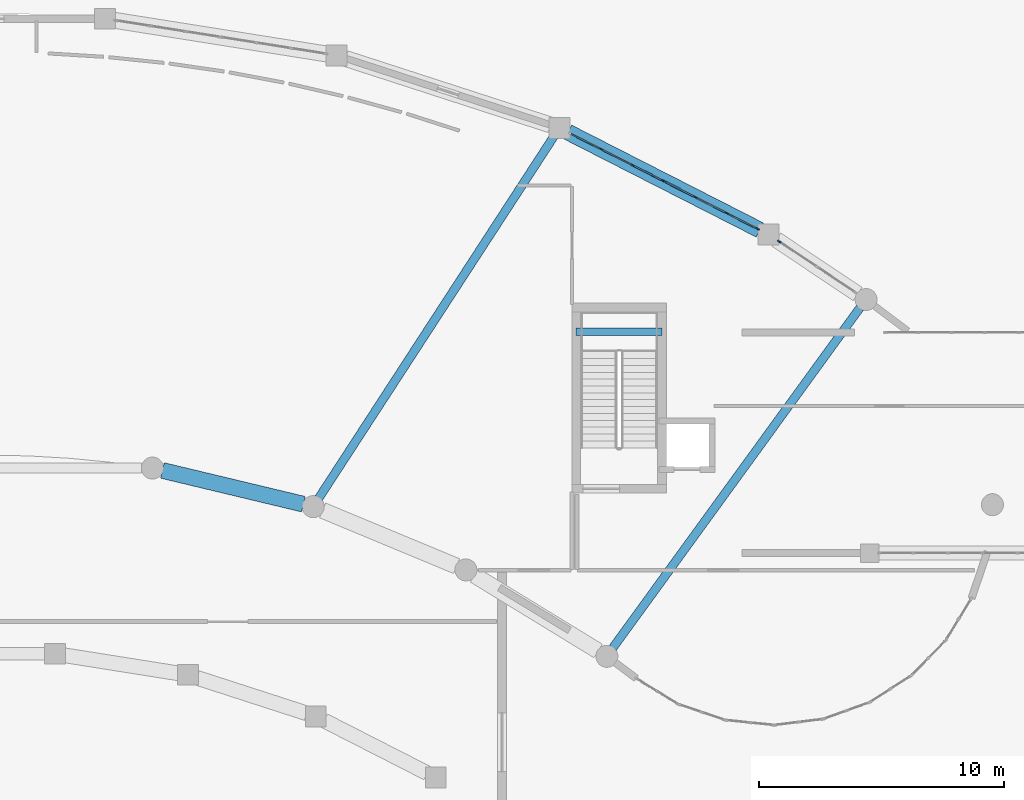
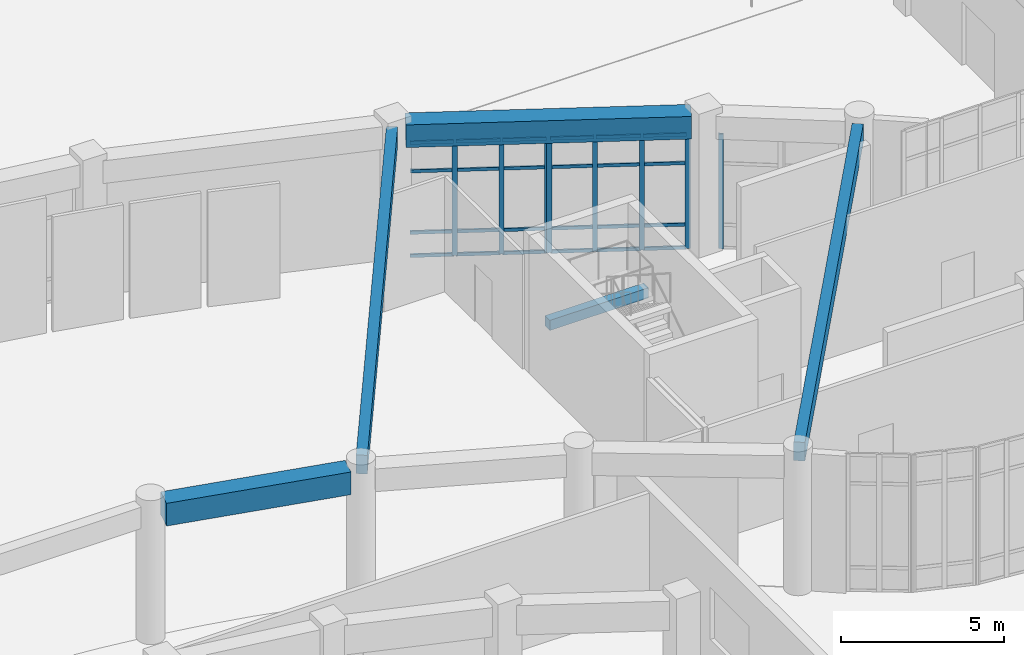
# One storey, part 18 of 70: 32 members, 5 beams, 3 elements without a shape of their own.
"""IFC4 building model written with IfcOpenShell, lengths in metres."""

import ifcopenshell
import ifcopenshell.guid

model = None  # the IFC model being written
_history = None  # IfcOwnerHistory: only IFC2X3 demands one
_inside = {}  # id of a spatial element -> (the spatial element, [elements in it])
_under = {}  # id of a project, library or spatial element -> (it, [spatial elements below it])
_declared = {}  # id of a project -> (the project, [libraries it declares])
_typed = {}  # id of a type object -> (the type object, [elements of that type])
_made_of = {}  # id of a material, layer set ... -> (it, [elements and type objects made of it])


def new_model(schema):
    """Start an empty IFC model of exactly this schema.

    Asked for "IFC4X3", IfcOpenShell would pick the latest addendum, in which some entities
    have other attributes; the version numbers below select the first issue.
    IFC2X3 requires an IfcOwnerHistory on every rooted entity: one is made here for all.
    """
    global model, _history
    if schema == "IFC4X3":
        model = ifcopenshell.file(schema_version=(4, 3, 0, 0))
    else:
        model = ifcopenshell.file(schema=schema)
    _inside.clear()
    _under.clear()
    _declared.clear()
    _typed.clear()
    _made_of.clear()
    _history = None
    if model.schema == "IFC2X3":
        org = make("IfcOrganization", Name="unknown")
        user = make(
            "IfcPersonAndOrganization",
            ThePerson=make("IfcPerson", FamilyName="unknown"),
            TheOrganization=org,
        )
        app = make(
            "IfcApplication",
            ApplicationDeveloper=org,
            Version="unknown",
            ApplicationFullName="unknown",
            ApplicationIdentifier="unknown",
        )
        _history = make(
            "IfcOwnerHistory",
            OwningUser=user,
            OwningApplication=app,
            ChangeAction="ADDED",
            CreationDate=0,
        )
    return model


def make(cls, **values):
    """One entity of the class cls with the attributes given. An attribute that is None is left unset."""
    return model.create_entity(
        cls, **{name: value for name, value in values.items() if value is not None}
    )


def rooted(cls, **values):
    """An entity with a GlobalId (a new one), such as an element, a storey or a relation."""
    return make(cls, GlobalId=ifcopenshell.guid.new(), OwnerHistory=_history, **values)


def si_unit(unit_type, name, prefix=None):
    """IfcSIUnit, for example si_unit("LENGTHUNIT", "METRE", prefix="MILLI")."""
    return make("IfcSIUnit", UnitType=unit_type, Prefix=prefix, Name=name)


def assignment(units):
    """IfcUnitAssignment: the units of a project."""
    return None if units is None else make("IfcUnitAssignment", Units=units)


def point(xyz):
    """IfcCartesianPoint."""
    return None if xyz is None else make("IfcCartesianPoint", Coordinates=xyz)


def direction(xyz):
    """IfcDirection."""
    return None if xyz is None else make("IfcDirection", DirectionRatios=xyz)


def frame(location, z_axis=None, x_axis=None):
    """IfcAxis2Placement3D, a coordinate frame: its origin and axes. An axis left out is left unset."""
    return make(
        "IfcAxis2Placement3D",
        Location=point(location),
        Axis=direction(z_axis),
        RefDirection=direction(x_axis),
    )


def frame_2d(location, x_axis=None):
    """IfcAxis2Placement2D, a coordinate frame in the plane: its origin and x axis."""
    return make(
        "IfcAxis2Placement2D", Location=point(location), RefDirection=direction(x_axis)
    )


def origin():
    """The frame at (0, 0, 0) with its axes left unset."""
    return frame((0.0, 0.0, 0.0))


def origin_2d():
    """The frame at (0, 0) in the plane with its x axis left unset."""
    return frame_2d((0.0, 0.0))


def place(relative_to, where):
    """IfcLocalPlacement: puts the frame where relative to a parent placement (None: the world)."""
    return make(
        "IfcLocalPlacement", PlacementRelTo=relative_to, RelativePlacement=where
    )


def context(
    kind, dimensions, precision=None, world=None, true_north=None, identifier=None
):
    """IfcGeometricRepresentationContext, for example the 3D "Model" context."""
    return make(
        "IfcGeometricRepresentationContext",
        ContextIdentifier=identifier,
        ContextType=kind,
        CoordinateSpaceDimension=dimensions,
        Precision=precision,
        WorldCoordinateSystem=world,
        TrueNorth=true_north,
    )


def subcontext(parent, identifier, kind, view, scale=None):
    """IfcGeometricRepresentationSubContext, for example "Body" below "Model"."""
    return make(
        "IfcGeometricRepresentationSubContext",
        ContextIdentifier=identifier,
        ContextType=kind,
        ParentContext=parent,
        TargetScale=scale,
        TargetView=view,
    )


def project(units=None, contexts=None):
    """IfcProject with its units and contexts."""
    return rooted(
        "IfcProject",
        Name="project",
        RepresentationContexts=contexts,
        UnitsInContext=assignment(units),
    )


def spatial(cls, under=None, at=None, **own):
    """A site, building, storey or space (cls), placed at a placement, below another one or the project."""
    s = rooted(cls, ObjectPlacement=at, **own)
    if under is not None:
        _under.setdefault(under.id(), (under, []))[1].append(s)
    return s


def profile(cls, at=None, kind="AREA", **sizes):
    """A parametric profile (cls). Its sizes go by their IFC names, for example OverallWidth=200.0."""
    return make(cls, ProfileType=kind, Position=at, **sizes)


def rectangle(**sizes):
    """IfcRectangleProfileDef."""
    return profile("IfcRectangleProfileDef", **sizes)


def extrude(swept, where, along, depth):
    """IfcExtrudedAreaSolid: the profile swept, set in the frame where, extruded along a direction by depth."""
    return make(
        "IfcExtrudedAreaSolid",
        SweptArea=swept,
        Position=where,
        ExtrudedDirection=direction(along),
        Depth=depth,
    )


def shape(context_of_items, identifier, shape_type, items):
    """IfcShapeRepresentation: the items that make up one representation, for example the "Body"."""
    return make(
        "IfcShapeRepresentation",
        ContextOfItems=context_of_items,
        RepresentationIdentifier=identifier,
        RepresentationType=shape_type,
        Items=items,
    )


def material(Name=None, Category=None):
    """IfcMaterial."""
    return make("IfcMaterial", Name=Name, Category=Category)


def layer(
    of_material, thickness, ventilated=None, Name=None, Category=None, Priority=None
):
    """IfcMaterialLayer: one layer of a wall or slab, of a material (None: an air gap)."""
    return make(
        "IfcMaterialLayer",
        Material=of_material,
        LayerThickness=thickness,
        IsVentilated=ventilated,
        Name=Name,
        Category=Category,
        Priority=Priority,
    )


def layer_set(layers, Name=None):
    """IfcMaterialLayerSet."""
    return make("IfcMaterialLayerSet", MaterialLayers=layers, LayerSetName=Name)


def material_profile(
    of_material, cross_section, Name=None, Category=None, Priority=None
):
    """IfcMaterialProfile: a cross section and its material."""
    return make(
        "IfcMaterialProfile",
        Name=Name,
        Material=of_material,
        Profile=cross_section,
        Priority=Priority,
        Category=Category,
    )


def profile_set(profiles, Name=None, composite=None):
    """IfcMaterialProfileSet."""
    return make(
        "IfcMaterialProfileSet",
        Name=Name,
        MaterialProfiles=profiles,
        CompositeProfile=composite,
    )


def made_of(thing, what):
    """Note that an element or type object is made of a material, layer set ...; save() writes the relation."""
    if what is not None:
        _made_of.setdefault(what.id(), (what, []))[1].append(thing)
    return thing


def type_object(cls, material=None, **own):
    """A type object (cls), such as IfcWallType, which elements share."""
    return made_of(rooted(cls, **own), material)


def element(
    cls,
    number,
    at=None,
    inside=None,
    cuts=None,
    type_object=None,
    material=None,
    context=None,
    identifier="Body",
    shape_type=None,
    held_by="IfcProductDefinitionShape",
    body=None,
    shapes=None,
    **own,
):
    """One element of the class cls, such as IfcWall. Its Tag is "e" and its number.

    at: its placement. inside: the storey or other place that contains it. cuts: it is an
    opening in that element (IfcRelVoidsElement). A single representation is given by context,
    identifier, shape_type and body (its items); several are given by shapes. held_by: the class
    of the entity that holds the representations. save() writes the other relations.
    """
    e = rooted(cls, Tag="e%d" % number, ObjectPlacement=at, **own)
    if body is not None:
        shapes = [shape(context, identifier, shape_type, body)]
    if shapes is not None:
        e.Representation = make(held_by, Representations=shapes)
    if inside is not None:
        _inside.setdefault(inside.id(), (inside, []))[1].append(e)
    if cuts is not None:
        rooted(
            "IfcRelVoidsElement", RelatingBuildingElement=cuts, RelatedOpeningElement=e
        )
    if type_object is not None:
        _typed.setdefault(type_object.id(), (type_object, []))[1].append(e)
    return made_of(e, material)


def aggregate(whole, parts):
    """IfcRelAggregates: a whole, such as a stair, and the parts it consists of."""
    return rooted("IfcRelAggregates", RelatingObject=whole, RelatedObjects=parts)


def save(model, path):
    """Write the relations noted so far, then the file.

    IfcRelAggregates (storeys below a building ...), IfcRelContainedInSpatialStructure (elements
    in a storey), IfcRelDefinesByType, IfcRelAssociatesMaterial and IfcRelDeclares: one each for
    every whole, place, type object, material and project.
    """
    for whole, parts in _under.values():
        aggregate(whole, parts)
    for where, things in _inside.values():
        rooted(
            "IfcRelContainedInSpatialStructure",
            RelatedElements=things,
            RelatingStructure=where,
        )
    for kind, things in _typed.values():
        rooted("IfcRelDefinesByType", RelatedObjects=things, RelatingType=kind)
    for what, things in _made_of.values():
        rooted("IfcRelAssociatesMaterial", RelatedObjects=things, RelatingMaterial=what)
    for by, libraries in _declared.values():
        rooted("IfcRelDeclares", RelatingContext=by, RelatedDefinitions=libraries)
    model.write(path)


model = new_model("IFC4")

# Units and contexts
model_context = context("Model", 3, precision=1e-05, world=origin(), true_north=direction((0.0, 1.0)))
body_context = subcontext(model_context, "Body", "Model", "MODEL_VIEW")
ifc_project = project(units=[si_unit("LENGTHUNIT", "METRE"), si_unit("AREAUNIT", "SQUARE_METRE"), si_unit("VOLUMEUNIT", "CUBIC_METRE"), si_unit("PLANEANGLEUNIT", "RADIAN"), si_unit("MASSUNIT", "GRAM", prefix="KILO")], contexts=[model_context])

# Site, building, storey
site_placement = place(None, origin())
site = spatial("IfcSite", under=ifc_project, at=site_placement, CompositionType="ELEMENT")
building_placement = place(site_placement, origin())
building = spatial("IfcBuilding", under=site, at=building_placement, Name="Miralva Faculty of Natural Sciences", CompositionType="ELEMENT")
storey_placement = place(building_placement, origin())
storey = spatial("IfcBuildingStorey", under=building, at=storey_placement, Name="L00", CompositionType="ELEMENT", Elevation=0.0)

# Beams
ifc_material_1 = material(Name="Concrete C40/50", Category="concrete")
ifc_material_profile_1 = material_profile(ifc_material_1, rectangle(XDim=0.35009765625, YDim=0.699951171875, at=origin_2d()), Name="RC 350x700")
ifc_profile_set_1 = profile_set([ifc_material_profile_1], Name="Concrete C40/50")
beam_type_1 = type_object("IfcBeamType", Name="BM-B04", PredefinedType="BEAM", material=ifc_profile_set_1)
beam_1_placement = place(storey_placement, frame((115.513427734375, 14.125, 4.81005859375), z_axis=(0.587841921696, 0.80897581861, 0.0), x_axis=(-0.80897581861, 0.587841921696, 0.0)))
element("IfcBeam", 1, at=beam_1_placement, inside=storey, type_object=beam_type_1, Name="Swept-arc radial girder L00-1", PredefinedType="BEAM", context=body_context, shape_type="SweptSolid", body=[
    extrude(rectangle(XDim=0.35009765625, YDim=0.699951171875, at=origin_2d()), origin(), (0.0, 0.0, 1.0), 17.169921875),
])
beam_2_placement = place(storey_placement, frame((103.515625, 20.2470703125, 4.81005859375), z_axis=(0.545027279847, 0.838418311002, 0.0), x_axis=(-0.838418311002, 0.545027279847, 0.0)))
element("IfcBeam", 2, at=beam_2_placement, inside=storey, type_object=beam_type_1, Name="Swept-arc radial girder L00-3", PredefinedType="BEAM", context=body_context, shape_type="SweptSolid", body=[
    extrude(rectangle(XDim=0.35009765625, YDim=0.699951171875, at=origin_2d()), origin(), (0.0, 0.0, 1.0), 17.634521484375),
])
ifc_material_profile_2 = material_profile(ifc_material_1, rectangle(XDim=0.300048828125, YDim=0.3798828125, at=origin_2d()), Name="RC 300x380")
ifc_profile_set_2 = profile_set([ifc_material_profile_2], Name="Concrete C40/50")
beam_type_2 = type_object("IfcBeamType", Name="BM-LND01", PredefinedType="BEAM", material=ifc_profile_set_2)
beam_3_placement = place(storey_placement, frame((114.02490234375, 27.034912109375, 2.320068359375), z_axis=(1.0, 0.0, 0.0), x_axis=(0.0, 1.0, 0.0)))
element("IfcBeam", 3, at=beam_3_placement, inside=storey, type_object=beam_type_2, Name="Stair Core C3 half-landing support beam L00", PredefinedType="BEAM", context=body_context, shape_type="SweptSolid", body=[
    extrude(rectangle(XDim=0.300048828125, YDim=0.3798828125, at=origin_2d()), origin(), (0.0, 0.0, 1.0), 3.5),
])
ifc_material_profile_3 = material_profile(ifc_material_1, rectangle(XDim=0.64990234375, YDim=0.85009765625, at=origin_2d()), Name="RC 650x850")
ifc_profile_set_3 = profile_set([ifc_material_profile_3], Name="Concrete C40/50")
beam_type_3 = type_object("IfcBeamType", Name="BM-SP03", PredefinedType="SPANDREL", material=ifc_profile_set_3)
beam_4_placement = place(storey_placement, frame((121.521728515625, 31.1875, 4.735107421875), z_axis=(-0.890845120113, 0.454307133965, 0.0), x_axis=(-0.454307133965, -0.890845120113, 0.0)))
element("IfcBeam", 4, at=beam_4_placement, inside=storey, type_object=beam_type_3, Name="Curved chord girder SHOUT L00-2", PredefinedType="SPANDREL", context=body_context, shape_type="SweptSolid", body=[
    extrude(rectangle(XDim=0.64990234375, YDim=0.85009765625, at=origin_2d()), origin(), (0.0, 0.0, 1.0), 8.793212890625),
])
beam_5_placement = place(storey_placement, frame((102.887451171875, 19.996337890625, 4.695068359375), z_axis=(-0.972539519162, 0.232737800254, 0.0), x_axis=(-0.232737800254, -0.972539519162, 0.0)))
element("IfcBeam", 5, at=beam_5_placement, inside=storey, type_object=beam_type_3, Name="Curved chord girder ARCIN L00-3", PredefinedType="SPANDREL", context=body_context, shape_type="SweptSolid", body=[
    extrude(rectangle(XDim=0.64990234375, YDim=0.85009765625, at=origin_2d()), origin(), (0.0, 0.0, 1.0), 5.91748046875),
])

# Curtain wall, members
ifc_material_2 = material(Name="Laminated solar-control glass", Category="glass")
ifc_layer = layer(ifc_material_2, 0.179931640625, Name="CW-ARC-L00")
ifc_layer_set = layer_set([ifc_layer], Name="Laminated solar-control glass")
curtain_wall_type = type_object("IfcCurtainWallType", Name="CW-ARC-L00", PredefinedType="USERDEFINED", material=ifc_layer_set)
curtain_wall_1_placement = place(storey_placement, origin())
curtain_wall_1 = element("IfcCurtainWall", 6, at=curtain_wall_1_placement, inside=storey, type_object=curtain_wall_type, Name="Curtain wall CW-01 L00-9", ObjectType="UNITISED CURTAIN WALL", PredefinedType="USERDEFINED")
ifc_material_3 = material(Name="Anodised aluminium", Category="aluminium")
ifc_material_profile_4 = material_profile(ifc_material_3, rectangle(XDim=0.06494140625, YDim=0.159912109375, at=origin_2d()), Name="MULLION 65x160")
ifc_profile_set_4 = profile_set([ifc_material_profile_4], Name="Anodised aluminium")
member_type_1 = type_object("IfcMemberType", Name="CW-M02", PredefinedType="MULLION", material=ifc_profile_set_4)
member_1_placement = place(storey_placement, frame((115.041259765625, 34.49169921875, 0.0), z_axis=(0.0, 0.0, 1.0), x_axis=(0.453967729556, 0.89101812581, 0.0)))
member_1 = element("IfcMember", 7, at=member_1_placement, type_object=member_type_1, Name="CW-01 mullion 2", PredefinedType="MULLION", context=body_context, shape_type="SweptSolid", body=[
    extrude(rectangle(XDim=0.06494140625, YDim=0.159912109375, at=origin_2d()), origin(), (0.0, 0.0, 1.0), 4.304931640625),
])
member_2_placement = place(storey_placement, frame((116.32470703125, 33.837646484375, 0.0), z_axis=(0.0, 0.0, 1.0), x_axis=(0.453967729556, 0.89101812581, 0.0)))
member_2 = element("IfcMember", 8, at=member_2_placement, type_object=member_type_1, Name="CW-01 mullion 3", PredefinedType="MULLION", context=body_context, shape_type="SweptSolid", body=[
    extrude(rectangle(XDim=0.06494140625, YDim=0.159912109375, at=origin_2d()), origin(), (0.0, 0.0, 1.0), 4.304931640625),
])
member_3_placement = place(storey_placement, frame((117.5791015625, 33.19873046875, 0.0), z_axis=(0.0, 0.0, 1.0), x_axis=(0.453967729556, 0.89101812581, 0.0)))
member_3 = element("IfcMember", 9, at=member_3_placement, type_object=member_type_1, Name="CW-01 mullion 4", PredefinedType="MULLION", context=body_context, shape_type="SweptSolid", body=[
    extrude(rectangle(XDim=0.06494140625, YDim=0.159912109375, at=origin_2d()), origin(), (0.0, 0.0, 1.0), 4.304931640625),
])

curtain_wall_2_placement = place(storey_placement, origin())
curtain_wall_2 = element("IfcCurtainWall", 10, at=curtain_wall_2_placement, inside=storey, type_object=curtain_wall_type, Name="Curtain wall CW-01 L00-10", ObjectType="UNITISED CURTAIN WALL", PredefinedType="USERDEFINED")
member_4_placement = place(storey_placement, frame((117.632568359375, 33.17138671875, 0.0), z_axis=(0.0, 0.0, 1.0), x_axis=(0.453996767698, 0.891003330476, 0.0)))
member_4 = element("IfcMember", 11, at=member_4_placement, type_object=member_type_1, Name="CW-01 mullion 1", PredefinedType="MULLION", context=body_context, shape_type="SweptSolid", body=[
    extrude(rectangle(XDim=0.06494140625, YDim=0.159912109375, at=origin_2d()), origin(), (0.0, 0.0, 1.0), 4.304931640625),
])
member_5_placement = place(storey_placement, frame((118.888427734375, 32.531494140625, 0.0), z_axis=(0.0, 0.0, 1.0), x_axis=(0.453996767698, 0.891003330476, 0.0)))
member_5 = element("IfcMember", 12, at=member_5_placement, type_object=member_type_1, Name="CW-01 mullion 2", PredefinedType="MULLION", context=body_context, shape_type="SweptSolid", body=[
    extrude(rectangle(XDim=0.06494140625, YDim=0.159912109375, at=origin_2d()), origin(), (0.0, 0.0, 1.0), 4.304931640625),
])
member_6_placement = place(storey_placement, frame((120.17333984375, 31.876953125, 0.0), z_axis=(0.0, 0.0, 1.0), x_axis=(0.453996767698, 0.891003330476, 0.0)))
member_6 = element("IfcMember", 13, at=member_6_placement, type_object=member_type_1, Name="CW-01 mullion 3", PredefinedType="MULLION", context=body_context, shape_type="SweptSolid", body=[
    extrude(rectangle(XDim=0.06494140625, YDim=0.159912109375, at=origin_2d()), origin(), (0.0, 0.0, 1.0), 4.304931640625),
])
member_7_placement = place(storey_placement, frame((121.42919921875, 31.237060546875, 0.0), z_axis=(0.0, 0.0, 1.0), x_axis=(0.453996767698, 0.891003330476, 0.0)))
member_7 = element("IfcMember", 14, at=member_7_placement, type_object=member_type_1, Name="CW-01 mullion 4", PredefinedType="MULLION", context=body_context, shape_type="SweptSolid", body=[
    extrude(rectangle(XDim=0.06494140625, YDim=0.159912109375, at=origin_2d()), origin(), (0.0, 0.0, 1.0), 4.304931640625),
])

# Curtain wall, member
curtain_wall_3_placement = place(storey_placement, origin())
curtain_wall_3 = element("IfcCurtainWall", 15, at=curtain_wall_3_placement, inside=storey, type_object=curtain_wall_type, Name="Curtain wall CW-01 L00-11", ObjectType="UNITISED CURTAIN WALL", PredefinedType="USERDEFINED")
member_8_placement = place(storey_placement, frame((122.31103515625, 30.718017578125, 0.0), z_axis=(0.0, 0.0, 1.0), x_axis=(0.555562302309, 0.831474911379, 0.0)))
member_8 = element("IfcMember", 16, at=member_8_placement, type_object=member_type_1, Name="CW-01 mullion 1", PredefinedType="MULLION", context=body_context, shape_type="SweptSolid", body=[
    extrude(rectangle(XDim=0.06494140625, YDim=0.159912109375, at=origin_2d()), origin(), (0.0, 0.0, 1.0), 4.304931640625),
])
aggregate(curtain_wall_3, [member_8])

# Member
ifc_material_profile_5 = material_profile(ifc_material_3, rectangle(XDim=0.06005859375, YDim=0.1201171875, at=origin_2d()), Name="TRANSOM 60x120")
ifc_profile_set_5 = profile_set([ifc_material_profile_5], Name="Anodised aluminium")
member_type_2 = type_object("IfcMemberType", Name="CW-T02", PredefinedType="USERDEFINED", material=ifc_profile_set_5)
member_9_placement = place(storey_placement, frame((113.81591796875, 35.115966796875, 0.030029296875), z_axis=(0.891020072129, -0.453963909428, 0.0), x_axis=(0.453963909428, 0.891020072129, 0.0)))
member_9 = element("IfcMember", 17, at=member_9_placement, type_object=member_type_2, Name="CW-01 transom 1.1", ObjectType="TRANSOM", PredefinedType="USERDEFINED", context=body_context, shape_type="SweptSolid", body=[
    extrude(rectangle(XDim=0.06005859375, YDim=0.1201171875, at=origin_2d()), origin(), (0.0, 0.0, 1.0), 1.3427734375),
])

member_10_placement = place(storey_placement, frame((113.81591796875, 35.115966796875, 0.89990234375), z_axis=(0.891020072129, -0.453963909428, 0.0), x_axis=(0.453963909428, 0.891020072129, 0.0)))
member_10 = element("IfcMember", 18, at=member_10_placement, type_object=member_type_2, Name="CW-01 transom 1.2", ObjectType="TRANSOM", PredefinedType="USERDEFINED", context=body_context, shape_type="SweptSolid", body=[
    extrude(rectangle(XDim=0.06005859375, YDim=0.1201171875, at=origin_2d()), origin(), (0.0, 0.0, 1.0), 1.3427734375),
])

member_11_placement = place(storey_placement, frame((113.81591796875, 35.115966796875, 3.205078125), z_axis=(0.891020072129, -0.453963909428, 0.0), x_axis=(0.453963909428, 0.891020072129, 0.0)))
member_11 = element("IfcMember", 19, at=member_11_placement, type_object=member_type_2, Name="CW-01 transom 1.3", ObjectType="TRANSOM", PredefinedType="USERDEFINED", context=body_context, shape_type="SweptSolid", body=[
    extrude(rectangle(XDim=0.06005859375, YDim=0.1201171875, at=origin_2d()), origin(), (0.0, 0.0, 1.0), 1.3427734375),
])

member_12_placement = place(storey_placement, frame((113.81591796875, 35.115966796875, 4.27490234375), z_axis=(0.891020072129, -0.453963909428, 0.0), x_axis=(0.453963909428, 0.891020072129, 0.0)))
member_12 = element("IfcMember", 20, at=member_12_placement, type_object=member_type_2, Name="CW-01 transom 1.4", ObjectType="TRANSOM", PredefinedType="USERDEFINED", context=body_context, shape_type="SweptSolid", body=[
    extrude(rectangle(XDim=0.06005859375, YDim=0.1201171875, at=origin_2d()), origin(), (0.0, 0.0, 1.0), 1.3427734375),
])

member_13_placement = place(storey_placement, frame((115.0703125, 34.476806640625, 0.030029296875), z_axis=(0.891028658075, -0.453947056923, 0.0), x_axis=(0.453947056923, 0.891028658075, 0.0)))
member_13 = element("IfcMember", 21, at=member_13_placement, type_object=member_type_2, Name="CW-01 transom 2.1", ObjectType="TRANSOM", PredefinedType="USERDEFINED", context=body_context, shape_type="SweptSolid", body=[
    extrude(rectangle(XDim=0.06005859375, YDim=0.1201171875, at=origin_2d()), origin(), (0.0, 0.0, 1.0), 1.375244140625),
])

member_14_placement = place(storey_placement, frame((115.0703125, 34.476806640625, 0.89990234375), z_axis=(0.891028658075, -0.453947056923, 0.0), x_axis=(0.453947056923, 0.891028658075, 0.0)))
member_14 = element("IfcMember", 22, at=member_14_placement, type_object=member_type_2, Name="CW-01 transom 2.2", ObjectType="TRANSOM", PredefinedType="USERDEFINED", context=body_context, shape_type="SweptSolid", body=[
    extrude(rectangle(XDim=0.06005859375, YDim=0.1201171875, at=origin_2d()), origin(), (0.0, 0.0, 1.0), 1.375244140625),
])

member_15_placement = place(storey_placement, frame((115.0703125, 34.476806640625, 3.205078125), z_axis=(0.891028658075, -0.453947056923, 0.0), x_axis=(0.453947056923, 0.891028658075, 0.0)))
member_15 = element("IfcMember", 23, at=member_15_placement, type_object=member_type_2, Name="CW-01 transom 2.3", ObjectType="TRANSOM", PredefinedType="USERDEFINED", context=body_context, shape_type="SweptSolid", body=[
    extrude(rectangle(XDim=0.06005859375, YDim=0.1201171875, at=origin_2d()), origin(), (0.0, 0.0, 1.0), 1.375244140625),
])

member_16_placement = place(storey_placement, frame((115.0703125, 34.476806640625, 4.27490234375), z_axis=(0.891028658075, -0.453947056923, 0.0), x_axis=(0.453947056923, 0.891028658075, 0.0)))
member_16 = element("IfcMember", 24, at=member_16_placement, type_object=member_type_2, Name="CW-01 transom 2.4", ObjectType="TRANSOM", PredefinedType="USERDEFINED", context=body_context, shape_type="SweptSolid", body=[
    extrude(rectangle(XDim=0.06005859375, YDim=0.1201171875, at=origin_2d()), origin(), (0.0, 0.0, 1.0), 1.375244140625),
])

member_17_placement = place(storey_placement, frame((116.353759765625, 33.822998046875, 0.030029296875), z_axis=(0.891020072129, -0.453963909428, 0.0), x_axis=(0.453963909428, 0.891020072129, 0.0)))
member_17 = element("IfcMember", 25, at=member_17_placement, type_object=member_type_2, Name="CW-01 transom 3.1", ObjectType="TRANSOM", PredefinedType="USERDEFINED", context=body_context, shape_type="SweptSolid", body=[
    extrude(rectangle(XDim=0.06005859375, YDim=0.1201171875, at=origin_2d()), origin(), (0.0, 0.0, 1.0), 1.3427734375),
])

member_18_placement = place(storey_placement, frame((116.353759765625, 33.822998046875, 0.89990234375), z_axis=(0.891020072129, -0.453963909428, 0.0), x_axis=(0.453963909428, 0.891020072129, 0.0)))
member_18 = element("IfcMember", 26, at=member_18_placement, type_object=member_type_2, Name="CW-01 transom 3.2", ObjectType="TRANSOM", PredefinedType="USERDEFINED", context=body_context, shape_type="SweptSolid", body=[
    extrude(rectangle(XDim=0.06005859375, YDim=0.1201171875, at=origin_2d()), origin(), (0.0, 0.0, 1.0), 1.3427734375),
])

member_19_placement = place(storey_placement, frame((116.353759765625, 33.822998046875, 3.205078125), z_axis=(0.891020072129, -0.453963909428, 0.0), x_axis=(0.453963909428, 0.891020072129, 0.0)))
member_19 = element("IfcMember", 27, at=member_19_placement, type_object=member_type_2, Name="CW-01 transom 3.3", ObjectType="TRANSOM", PredefinedType="USERDEFINED", context=body_context, shape_type="SweptSolid", body=[
    extrude(rectangle(XDim=0.06005859375, YDim=0.1201171875, at=origin_2d()), origin(), (0.0, 0.0, 1.0), 1.3427734375),
])

member_20_placement = place(storey_placement, frame((116.353759765625, 33.822998046875, 4.27490234375), z_axis=(0.891020072129, -0.453963909428, 0.0), x_axis=(0.453963909428, 0.891020072129, 0.0)))
member_20 = element("IfcMember", 28, at=member_20_placement, type_object=member_type_2, Name="CW-01 transom 3.4", ObjectType="TRANSOM", PredefinedType="USERDEFINED", context=body_context, shape_type="SweptSolid", body=[
    extrude(rectangle(XDim=0.06005859375, YDim=0.1201171875, at=origin_2d()), origin(), (0.0, 0.0, 1.0), 1.3427734375),
])

aggregate(curtain_wall_1, [member_1, member_2, member_3, member_9, member_10, member_11, member_12, member_13, member_14, member_15, member_16, member_17, member_18, member_19, member_20])

member_21_placement = place(storey_placement, frame((117.66162109375, 33.15673828125, 0.030029296875), z_axis=(0.890986824506, -0.45402916047, 0.0), x_axis=(0.45402916047, 0.890986824506, 0.0)))
member_21 = element("IfcMember", 29, at=member_21_placement, type_object=member_type_2, Name="CW-01 transom 1.1", ObjectType="TRANSOM", PredefinedType="USERDEFINED", context=body_context, shape_type="SweptSolid", body=[
    extrude(rectangle(XDim=0.06005859375, YDim=0.1201171875, at=origin_2d()), origin(), (0.0, 0.0, 1.0), 1.34423828125),
])

member_22_placement = place(storey_placement, frame((117.66162109375, 33.15673828125, 0.89990234375), z_axis=(0.890986824506, -0.45402916047, 0.0), x_axis=(0.45402916047, 0.890986824506, 0.0)))
member_22 = element("IfcMember", 30, at=member_22_placement, type_object=member_type_2, Name="CW-01 transom 1.2", ObjectType="TRANSOM", PredefinedType="USERDEFINED", context=body_context, shape_type="SweptSolid", body=[
    extrude(rectangle(XDim=0.06005859375, YDim=0.1201171875, at=origin_2d()), origin(), (0.0, 0.0, 1.0), 1.34423828125),
])

member_23_placement = place(storey_placement, frame((117.66162109375, 33.15673828125, 3.205078125), z_axis=(0.890986824506, -0.45402916047, 0.0), x_axis=(0.45402916047, 0.890986824506, 0.0)))
member_23 = element("IfcMember", 31, at=member_23_placement, type_object=member_type_2, Name="CW-01 transom 1.3", ObjectType="TRANSOM", PredefinedType="USERDEFINED", context=body_context, shape_type="SweptSolid", body=[
    extrude(rectangle(XDim=0.06005859375, YDim=0.1201171875, at=origin_2d()), origin(), (0.0, 0.0, 1.0), 1.34423828125),
])

member_24_placement = place(storey_placement, frame((117.66162109375, 33.15673828125, 4.27490234375), z_axis=(0.890986824506, -0.45402916047, 0.0), x_axis=(0.45402916047, 0.890986824506, 0.0)))
member_24 = element("IfcMember", 32, at=member_24_placement, type_object=member_type_2, Name="CW-01 transom 1.4", ObjectType="TRANSOM", PredefinedType="USERDEFINED", context=body_context, shape_type="SweptSolid", body=[
    extrude(rectangle(XDim=0.06005859375, YDim=0.1201171875, at=origin_2d()), origin(), (0.0, 0.0, 1.0), 1.34423828125),
])

member_25_placement = place(storey_placement, frame((118.91748046875, 32.516845703125, 0.030029296875), z_axis=(0.890961003982, -0.454079827104, 0.0), x_axis=(0.454079827104, 0.890961003982, 0.0)))
member_25 = element("IfcMember", 33, at=member_25_placement, type_object=member_type_2, Name="CW-01 transom 2.1", ObjectType="TRANSOM", PredefinedType="USERDEFINED", context=body_context, shape_type="SweptSolid", body=[
    extrude(rectangle(XDim=0.06005859375, YDim=0.1201171875, at=origin_2d()), origin(), (0.0, 0.0, 1.0), 1.376953125),
])

member_26_placement = place(storey_placement, frame((118.91748046875, 32.516845703125, 0.89990234375), z_axis=(0.890961003982, -0.454079827104, 0.0), x_axis=(0.454079827104, 0.890961003982, 0.0)))
member_26 = element("IfcMember", 34, at=member_26_placement, type_object=member_type_2, Name="CW-01 transom 2.2", ObjectType="TRANSOM", PredefinedType="USERDEFINED", context=body_context, shape_type="SweptSolid", body=[
    extrude(rectangle(XDim=0.06005859375, YDim=0.1201171875, at=origin_2d()), origin(), (0.0, 0.0, 1.0), 1.376953125),
])

member_27_placement = place(storey_placement, frame((118.91748046875, 32.516845703125, 3.205078125), z_axis=(0.890961003982, -0.454079827104, 0.0), x_axis=(0.454079827104, 0.890961003982, 0.0)))
member_27 = element("IfcMember", 35, at=member_27_placement, type_object=member_type_2, Name="CW-01 transom 2.3", ObjectType="TRANSOM", PredefinedType="USERDEFINED", context=body_context, shape_type="SweptSolid", body=[
    extrude(rectangle(XDim=0.06005859375, YDim=0.1201171875, at=origin_2d()), origin(), (0.0, 0.0, 1.0), 1.376953125),
])

member_28_placement = place(storey_placement, frame((118.91748046875, 32.516845703125, 4.27490234375), z_axis=(0.890961003982, -0.454079827104, 0.0), x_axis=(0.454079827104, 0.890961003982, 0.0)))
member_28 = element("IfcMember", 36, at=member_28_placement, type_object=member_type_2, Name="CW-01 transom 2.4", ObjectType="TRANSOM", PredefinedType="USERDEFINED", context=body_context, shape_type="SweptSolid", body=[
    extrude(rectangle(XDim=0.06005859375, YDim=0.1201171875, at=origin_2d()), origin(), (0.0, 0.0, 1.0), 1.376953125),
])

member_29_placement = place(storey_placement, frame((120.2021484375, 31.862060546875, 0.030029296875), z_axis=(0.891024253299, -0.45395570272, 0.0), x_axis=(0.45395570272, 0.891024253299, 0.0)))
member_29 = element("IfcMember", 37, at=member_29_placement, type_object=member_type_2, Name="CW-01 transom 3.1", ObjectType="TRANSOM", PredefinedType="USERDEFINED", context=body_context, shape_type="SweptSolid", body=[
    extrude(rectangle(XDim=0.06005859375, YDim=0.1201171875, at=origin_2d()), origin(), (0.0, 0.0, 1.0), 1.344482421875),
])

member_30_placement = place(storey_placement, frame((120.2021484375, 31.862060546875, 0.89990234375), z_axis=(0.891024253299, -0.45395570272, 0.0), x_axis=(0.45395570272, 0.891024253299, 0.0)))
member_30 = element("IfcMember", 38, at=member_30_placement, type_object=member_type_2, Name="CW-01 transom 3.2", ObjectType="TRANSOM", PredefinedType="USERDEFINED", context=body_context, shape_type="SweptSolid", body=[
    extrude(rectangle(XDim=0.06005859375, YDim=0.1201171875, at=origin_2d()), origin(), (0.0, 0.0, 1.0), 1.344482421875),
])

member_31_placement = place(storey_placement, frame((120.2021484375, 31.862060546875, 3.205078125), z_axis=(0.891024253299, -0.45395570272, 0.0), x_axis=(0.45395570272, 0.891024253299, 0.0)))
member_31 = element("IfcMember", 39, at=member_31_placement, type_object=member_type_2, Name="CW-01 transom 3.3", ObjectType="TRANSOM", PredefinedType="USERDEFINED", context=body_context, shape_type="SweptSolid", body=[
    extrude(rectangle(XDim=0.06005859375, YDim=0.1201171875, at=origin_2d()), origin(), (0.0, 0.0, 1.0), 1.344482421875),
])

member_32_placement = place(storey_placement, frame((120.2021484375, 31.862060546875, 4.27490234375), z_axis=(0.891024253299, -0.45395570272, 0.0), x_axis=(0.45395570272, 0.891024253299, 0.0)))
member_32 = element("IfcMember", 40, at=member_32_placement, type_object=member_type_2, Name="CW-01 transom 3.4", ObjectType="TRANSOM", PredefinedType="USERDEFINED", context=body_context, shape_type="SweptSolid", body=[
    extrude(rectangle(XDim=0.06005859375, YDim=0.1201171875, at=origin_2d()), origin(), (0.0, 0.0, 1.0), 1.344482421875),
])

aggregate(curtain_wall_2, [member_4, member_5, member_6, member_7, member_21, member_22, member_23, member_24, member_25, member_26, member_27, member_28, member_29, member_30, member_31, member_32])

save(model, "model.ifc")
